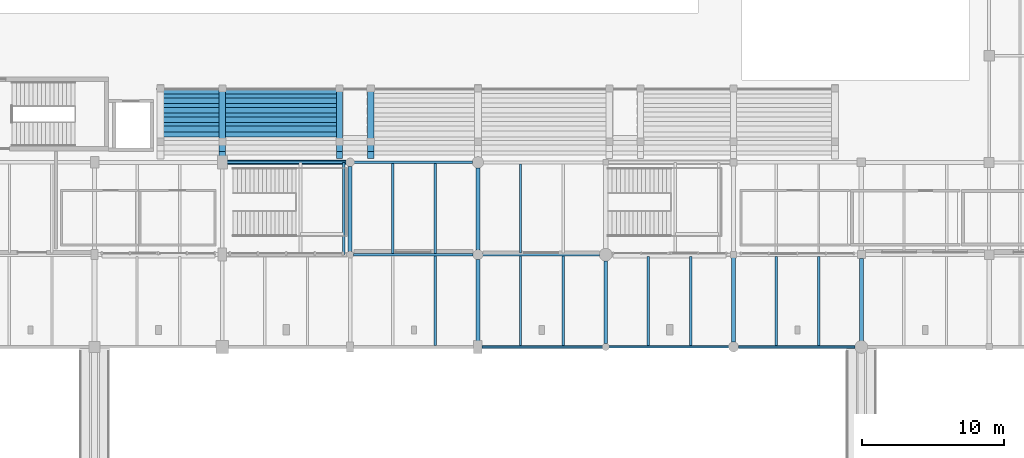
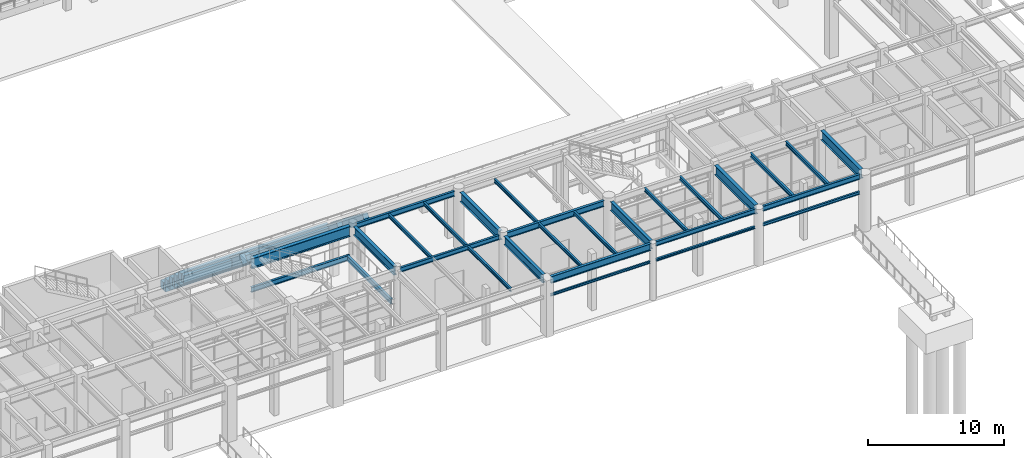
# One storey, part 52 of 203: 41 beams.
"""IFC4 building model written with IfcOpenShell, lengths in metres."""

from ifc_helpers import new_model, si_unit, direction, frame, origin, origin_2d, place, context, subcontext, project, spatial, rectangle, i_section, extrude, material, material_profile, profile_set, type_object, element, save


model = new_model("IFC4")

# Units and contexts
model_context = context("Model", 3, precision=1e-05, world=origin(), true_north=direction((0.0, 1.0)))
body_context = subcontext(model_context, "Body", "Model", "MODEL_VIEW")
ifc_project = project(units=[si_unit("LENGTHUNIT", "METRE"), si_unit("AREAUNIT", "SQUARE_METRE"), si_unit("VOLUMEUNIT", "CUBIC_METRE"), si_unit("PLANEANGLEUNIT", "RADIAN"), si_unit("MASSUNIT", "GRAM", prefix="KILO"), si_unit("THERMODYNAMICTEMPERATUREUNIT", "KELVIN"), si_unit("POWERUNIT", "WATT")], contexts=[model_context])

# Site, building, storey
site_placement = place(None, origin())
site = spatial("IfcSite", under=ifc_project, at=site_placement, CompositionType="ELEMENT")
building_placement = place(site_placement, origin())
building = spatial("IfcBuilding", under=site, at=building_placement, Name="Tepalcoro Natatorium and Aquatics Centre", CompositionType="ELEMENT")
storey_placement = place(building_placement, origin())
storey = spatial("IfcBuildingStorey", under=building, at=storey_placement, Name="L00", CompositionType="ELEMENT", Elevation=0.0)

# Beams
ifc_material_1 = material(Name="Concrete C40/50 (fc 40 MPa)", Category="concrete")
ifc_material_profile_1 = material_profile(ifc_material_1, rectangle(XDim=0.39990234375, YDim=0.64990234375, at=origin_2d()), Name="RCB400x650")
ifc_profile_set_1 = profile_set([ifc_material_profile_1], Name="Concrete C40/50 (fc 40 MPa)")
beam_type_1 = type_object("IfcBeamType", Name="BM_RC_400x650", PredefinedType="BEAM", material=ifc_profile_set_1)
for number, where, z_axis, x_axis, name in (
    (1, (66.64990234375, 17.65576171875, 1.300048828125), (1.0, 0.0, 0.0), (0.0, 1.0, 0.0), "Spectator Tier Stringer Beam S-1W-F"),
    (2, (66.64990234375, 18.0, 1.300048828125), (1.0, 0.0, 0.0), (0.0, 1.0, 0.0), "Spectator Tier Stringer Beam S-1W-B"),
    (3, (66.64990234375, 16.991455078125, 1.89990234375), (1.0, 0.0, 0.0), (0.0, 1.0, 0.0), "Spectator Tier Stringer Beam S-2W-F"),
    (4, (66.64990234375, 17.335693359375, 1.89990234375), (1.0, 0.0, 0.0), (0.0, 1.0, 0.0), "Spectator Tier Stringer Beam S-2W-B"),
    (5, (66.64990234375, 16.3271484375, 2.5), (1.0, 0.0, 0.0), (0.0, 1.0, 0.0), "Spectator Tier Stringer Beam S-3W-F"),
    (6, (66.64990234375, 16.67138671875, 2.5), (1.0, 0.0, 0.0), (0.0, 1.0, 0.0), "Spectator Tier Stringer Beam S-3W-B"),
    (7, (66.64990234375, 15.662841796875, 3.10009765625), (1.0, 0.0, 0.0), (0.0, 1.0, 0.0), "Spectator Tier Stringer Beam S-4W-F"),
    (8, (66.64990234375, 16.007080078125, 3.10009765625), (1.0, 0.0, 0.0), (0.0, 1.0, 0.0), "Spectator Tier Stringer Beam S-4W-B"),
    (9, (66.64990234375, 14.99853515625, 3.699951171875), (1.0, 0.0, 0.0), (0.0, 1.0, 0.0), "Spectator Tier Stringer Beam S-5W-F"),
    (10, (66.64990234375, 15.3427734375, 3.699951171875), (1.0, 0.0, 0.0), (0.0, 1.0, 0.0), "Spectator Tier Stringer Beam S-5W-B"),
):
    element("IfcBeam", number, at=place(storey_placement, frame(where, z_axis=z_axis, x_axis=x_axis)), inside=storey, type_object=beam_type_1, Name=name, PredefinedType="BEAM", context=body_context, shape_type="SweptSolid", body=[
        extrude(rectangle(XDim=0.39990234375, YDim=0.64990234375, at=origin_2d()), origin(), (0.0, 0.0, 1.0), 12.60009765625),
    ])
ifc_material_2 = material(Name="Steel ASTM A992 Grade 50 (Fy 345 MPa)", Category="steel")
ifc_material_profile_2 = material_profile(ifc_material_2, i_section(OverallWidth=0.177978515625, OverallDepth=0.406005859375, WebThickness=0.008056640625, FlangeThickness=0.012939453125, FilletRadius=0.013916015625, at=origin_2d()), Name="W16X40")
ifc_profile_set_2 = profile_set([ifc_material_profile_2], Name="Steel ASTM A992 Grade 50 (Fy 345 MPa)")
beam_type_2 = type_object("IfcBeamType", Name="BM_W16x40", PredefinedType="BEAM", material=ifc_profile_set_2)
beam_1_placement = place(storey_placement, frame((80.235107421875, 6.5, 4.882080078125), z_axis=(1.0, 0.0, 0.0), x_axis=(0.0, 1.0, 0.0)))
element("IfcBeam", 11, at=beam_1_placement, inside=storey, type_object=beam_type_2, Name="V1 L00 Grid Girder X", PredefinedType="BEAM", context=body_context, shape_type="SweptSolid", body=[
    extrude(i_section(OverallWidth=0.177978515625, OverallDepth=0.406005859375, WebThickness=0.008056640625, FlangeThickness=0.012939453125, FilletRadius=0.013916015625, at=origin_2d()), origin(), (0.0, 0.0, 1.0), 8.429931640625),
])
ifc_material_profile_3 = material_profile(ifc_material_2, i_section(OverallWidth=0.19091796875, OverallDepth=0.45703125, WebThickness=0.009033203125, FlangeThickness=0.013916015625, FilletRadius=0.013916015625, at=origin_2d()), Name="W18X50")
ifc_profile_set_3 = profile_set([ifc_material_profile_3], Name="Steel ASTM A992 Grade 50 (Fy 345 MPa)")
beam_type_3 = type_object("IfcBeamType", Name="BM_W18x50", PredefinedType="BEAM", material=ifc_profile_set_3)
beam_2_placement = place(storey_placement, frame((80.284912109375, 13.0, 4.896484375), z_axis=(1.0, 0.0, 0.0), x_axis=(0.0, 1.0, 0.0)))
element("IfcBeam", 12, at=beam_2_placement, inside=storey, type_object=beam_type_3, Name="V1 L00 Grid Girder X", PredefinedType="BEAM", context=body_context, shape_type="SweptSolid", body=[
    extrude(i_section(OverallWidth=0.19091796875, OverallDepth=0.45703125, WebThickness=0.009033203125, FlangeThickness=0.013916015625, FilletRadius=0.013916015625, at=origin_2d()), origin(), (0.0, 0.0, 1.0), 8.330078125),
])
beam_3_placement = place(storey_placement, frame((71.3349609375, 13.0, 2.271484375), z_axis=(1.0, 0.0, 0.0), x_axis=(0.0, 1.0, 0.0)))
element("IfcBeam", 13, at=beam_3_placement, inside=storey, type_object=beam_type_3, Name="Vomitory Stair Mid-Height Grid Header SW-N", PredefinedType="BEAM", context=body_context, shape_type="SweptSolid", body=[
    extrude(i_section(OverallWidth=0.19091796875, OverallDepth=0.45703125, WebThickness=0.009033203125, FlangeThickness=0.013916015625, FilletRadius=0.013916015625, at=origin_2d()), origin(), (0.0, 0.0, 1.0), 8.380126953125),
])
beam_4_placement = place(storey_placement, frame((79.550048828125, 6.501953125, 2.271484375), z_axis=(0.0, 1.0, 0.0), x_axis=(-1.0, 0.0, 0.0)))
element("IfcBeam", 14, at=beam_4_placement, inside=storey, type_object=beam_type_3, Name="Vomitory Half-Landing Trimmer Beam SW-E", PredefinedType="BEAM", context=body_context, shape_type="SweptSolid", body=[
    extrude(i_section(OverallWidth=0.19091796875, OverallDepth=0.45703125, WebThickness=0.009033203125, FlangeThickness=0.013916015625, FilletRadius=0.013916015625, at=origin_2d()), origin(), (0.0, 0.0, 1.0), 6.49609375),
])
ifc_material_profile_4 = material_profile(ifc_material_2, i_section(OverallWidth=0.2099609375, OverallDepth=0.532958984375, WebThickness=0.010009765625, FlangeThickness=0.01611328125, FilletRadius=0.013916015625, at=origin_2d()), Name="W21X62")
ifc_profile_set_4 = profile_set([ifc_material_profile_4], Name="Steel ASTM A992 Grade 50 (Fy 345 MPa)")
beam_type_4 = type_object("IfcBeamType", Name="BM_W21x62", PredefinedType="BEAM", material=ifc_profile_set_4)
beam_5_placement = place(storey_placement, frame((89.3349609375, 6.5, 4.818603515625), z_axis=(1.0, 0.0, 0.0), x_axis=(0.0, 1.0, 0.0)))
element("IfcBeam", 15, at=beam_5_placement, inside=storey, type_object=beam_type_4, Name="V1 L00 Grid Girder X", PredefinedType="BEAM", context=body_context, shape_type="SweptSolid", body=[
    extrude(i_section(OverallWidth=0.2099609375, OverallDepth=0.532958984375, WebThickness=0.010009765625, FlangeThickness=0.01611328125, FilletRadius=0.013916015625, at=origin_2d()), origin(), (0.0, 0.0, 1.0), 8.22998046875),
])
ifc_material_profile_5 = material_profile(ifc_material_2, i_section(OverallWidth=0.26708984375, OverallDepth=0.761962890625, WebThickness=0.013916015625, FlangeThickness=0.02197265625, FilletRadius=0.013916015625, at=origin_2d()), Name="W30X116")
ifc_profile_set_5 = profile_set([ifc_material_profile_5], Name="Steel ASTM A992 Grade 50 (Fy 345 MPa)")
beam_type_5 = type_object("IfcBeamType", Name="BM_W30x116", PredefinedType="BEAM", material=ifc_profile_set_5)
beam_6_placement = place(storey_placement, frame((89.0, 0.43505859375, 4.7041015625), z_axis=(0.0, 1.0, 0.0), x_axis=(-1.0, 0.0, 0.0)))
element("IfcBeam", 16, at=beam_6_placement, inside=storey, type_object=beam_type_5, Name="V1 L00 Grid Girder Y", PredefinedType="BEAM", context=body_context, shape_type="SweptSolid", body=[
    extrude(i_section(OverallWidth=0.26708984375, OverallDepth=0.761962890625, WebThickness=0.013916015625, FlangeThickness=0.02197265625, FilletRadius=0.013916015625, at=origin_2d()), origin(), (0.0, 0.0, 1.0), 5.72998046875),
])
ifc_material_profile_6 = material_profile(ifc_material_2, i_section(OverallWidth=0.26708984375, OverallDepth=0.780029296875, WebThickness=0.01708984375, FlangeThickness=0.030029296875, FilletRadius=0.013916015625, at=origin_2d()), Name="W30X148")
ifc_profile_set_6 = profile_set([ifc_material_profile_6], Name="Steel ASTM A992 Grade 50 (Fy 345 MPa)")
beam_type_6 = type_object("IfcBeamType", Name="BM_W30x148", PredefinedType="BEAM", material=ifc_profile_set_6)
beam_7_placement = place(storey_placement, frame((80.0, 6.735107421875, 4.735107421875), z_axis=(0.0, 1.0, 0.0), x_axis=(-1.0, 0.0, 0.0)))
element("IfcBeam", 17, at=beam_7_placement, inside=storey, type_object=beam_type_6, Name="V1 L00 Grid Girder Y", PredefinedType="BEAM", context=body_context, shape_type="SweptSolid", body=[
    extrude(i_section(OverallWidth=0.26708984375, OverallDepth=0.780029296875, WebThickness=0.01708984375, FlangeThickness=0.030029296875, FilletRadius=0.013916015625, at=origin_2d()), origin(), (0.0, 0.0, 1.0), 5.97998046875),
])
beam_8_placement = place(storey_placement, frame((98.0, 0.235107421875, 4.695068359375), z_axis=(0.0, 1.0, 0.0), x_axis=(-1.0, 0.0, 0.0)))
element("IfcBeam", 18, at=beam_8_placement, inside=storey, type_object=beam_type_6, Name="V1 L00 Grid Girder Y", PredefinedType="BEAM", context=body_context, shape_type="SweptSolid", body=[
    extrude(i_section(OverallWidth=0.26708984375, OverallDepth=0.780029296875, WebThickness=0.01708984375, FlangeThickness=0.030029296875, FilletRadius=0.013916015625, at=origin_2d()), origin(), (0.0, 0.0, 1.0), 5.829833984375),
])
ifc_material_profile_7 = material_profile(ifc_material_2, i_section(OverallWidth=0.2919921875, OverallDepth=0.845947265625, WebThickness=0.014892578125, FlangeThickness=0.02392578125, FilletRadius=0.013916015625, at=origin_2d()), Name="W33X141")
ifc_profile_set_7 = profile_set([ifc_material_profile_7], Name="Steel ASTM A992 Grade 50 (Fy 345 MPa)")
beam_type_7 = type_object("IfcBeamType", Name="BM_W33x141", PredefinedType="BEAM", material=ifc_profile_set_7)
beam_9_placement = place(storey_placement, frame((89.0, 6.8349609375, 4.701904296875), z_axis=(0.0, 1.0, 0.0), x_axis=(-1.0, 0.0, 0.0)))
element("IfcBeam", 19, at=beam_9_placement, inside=storey, type_object=beam_type_7, Name="V1 L00 Grid Girder Y", PredefinedType="BEAM", context=body_context, shape_type="SweptSolid", body=[
    extrude(i_section(OverallWidth=0.2919921875, OverallDepth=0.845947265625, WebThickness=0.014892578125, FlangeThickness=0.02392578125, FilletRadius=0.013916015625, at=origin_2d()), origin(), (0.0, 0.0, 1.0), 5.780029296875),
])
beam_10_placement = place(storey_placement, frame((107.0, 0.3349609375, 4.662109375), z_axis=(0.0, 1.0, 0.0), x_axis=(-1.0, 0.0, 0.0)))
element("IfcBeam", 20, at=beam_10_placement, inside=storey, type_object=beam_type_7, Name="V1 L00 Grid Girder Y", PredefinedType="BEAM", context=body_context, shape_type="SweptSolid", body=[
    extrude(i_section(OverallWidth=0.2919921875, OverallDepth=0.845947265625, WebThickness=0.014892578125, FlangeThickness=0.02392578125, FilletRadius=0.013916015625, at=origin_2d()), origin(), (0.0, 0.0, 1.0), 5.955078125),
])
ifc_material_profile_8 = material_profile(ifc_material_2, i_section(OverallWidth=0.2919921875, OverallDepth=0.85888671875, WebThickness=0.01708984375, FlangeThickness=0.031005859375, FilletRadius=0.013916015625, at=origin_2d()), Name="W33X169")
ifc_profile_set_8 = profile_set([ifc_material_profile_8], Name="Steel ASTM A992 Grade 50 (Fy 345 MPa)")
beam_type_8 = type_object("IfcBeamType", Name="BM_W33x169", PredefinedType="BEAM", material=ifc_profile_set_8)
beam_11_placement = place(storey_placement, frame((116.0, 0.43505859375, 4.655517578125), z_axis=(0.0, 1.0, 0.0), x_axis=(-1.0, 0.0, 0.0)))
element("IfcBeam", 21, at=beam_11_placement, inside=storey, type_object=beam_type_8, Name="V1 L00 Grid Girder Y", PredefinedType="BEAM", context=body_context, shape_type="SweptSolid", body=[
    extrude(i_section(OverallWidth=0.2919921875, OverallDepth=0.85888671875, WebThickness=0.01708984375, FlangeThickness=0.031005859375, FilletRadius=0.013916015625, at=origin_2d()), origin(), (0.0, 0.0, 1.0), 5.804931640625),
])
ifc_material_profile_9 = material_profile(ifc_material_2, i_section(OverallWidth=0.31005859375, OverallDepth=0.931884765625, WebThickness=0.02099609375, FlangeThickness=0.034912109375, FilletRadius=0.013916015625, at=origin_2d()), Name="W36X210")
ifc_profile_set_9 = profile_set([ifc_material_profile_9], Name="Steel ASTM A992 Grade 50 (Fy 345 MPa)")
beam_type_9 = type_object("IfcBeamType", Name="BM_W36x210", PredefinedType="BEAM", material=ifc_profile_set_9)
beam_12_placement = place(storey_placement, frame((71.3349609375, 13.0, 4.658935546875), z_axis=(1.0, 0.0, 0.0), x_axis=(0.0, 1.0, 0.0)))
element("IfcBeam", 22, at=beam_12_placement, inside=storey, type_object=beam_type_9, Name="V1 L00 Grid Girder X", PredefinedType="BEAM", context=body_context, shape_type="SweptSolid", body=[
    extrude(i_section(OverallWidth=0.31005859375, OverallDepth=0.931884765625, WebThickness=0.02099609375, FlangeThickness=0.034912109375, FilletRadius=0.013916015625, at=origin_2d()), origin(), (0.0, 0.0, 1.0), 8.380126953125),
])
ifc_material_profile_10 = material_profile(ifc_material_2, i_section(OverallWidth=0.1650390625, OverallDepth=0.31005859375, WebThickness=0.006103515625, FlangeThickness=0.010009765625, FilletRadius=0.013916015625, at=origin_2d()), Name="W12X26")
ifc_profile_set_10 = profile_set([ifc_material_profile_10], Name="Steel ASTM A992 Grade 50 (Fy 345 MPa)")
beam_type_10 = type_object("IfcBeamType", Name="JS_W12x26", PredefinedType="JOIST", material=ifc_profile_set_10)
beam_13_placement = place(storey_placement, frame((86.0, 0.10498046875, 4.929931640625), z_axis=(0.0, 1.0, 0.0), x_axis=(-1.0, 0.0, 0.0)))
element("IfcBeam", 23, at=beam_13_placement, inside=storey, type_object=beam_type_10, Name="V1 L00 Floor Joist", PredefinedType="JOIST", context=body_context, shape_type="SweptSolid", body=[
    extrude(i_section(OverallWidth=0.1650390625, OverallDepth=0.31005859375, WebThickness=0.006103515625, FlangeThickness=0.010009765625, FilletRadius=0.013916015625, at=origin_2d()), origin(), (0.0, 0.0, 1.0), 6.305908203125),
])
beam_14_placement = place(storey_placement, frame((83.0, 6.589111328125, 4.929931640625), z_axis=(0.0, 1.0, 0.0), x_axis=(-1.0, 0.0, 0.0)))
element("IfcBeam", 24, at=beam_14_placement, inside=storey, type_object=beam_type_10, Name="V1 L00 Floor Joist", PredefinedType="JOIST", context=body_context, shape_type="SweptSolid", body=[
    extrude(i_section(OverallWidth=0.1650390625, OverallDepth=0.31005859375, WebThickness=0.006103515625, FlangeThickness=0.010009765625, FilletRadius=0.013916015625, at=origin_2d()), origin(), (0.0, 0.0, 1.0), 6.3154296875),
])
beam_15_placement = place(storey_placement, frame((92.0, 0.114501953125, 4.929931640625), z_axis=(0.0, 1.0, 0.0), x_axis=(-1.0, 0.0, 0.0)))
element("IfcBeam", 25, at=beam_15_placement, inside=storey, type_object=beam_type_10, Name="V1 L00 Floor Joist", PredefinedType="JOIST", context=body_context, shape_type="SweptSolid", body=[
    extrude(i_section(OverallWidth=0.1650390625, OverallDepth=0.31005859375, WebThickness=0.006103515625, FlangeThickness=0.010009765625, FilletRadius=0.013916015625, at=origin_2d()), origin(), (0.0, 0.0, 1.0), 6.280517578125),
])
ifc_material_profile_11 = material_profile(ifc_material_2, i_section(OverallWidth=0.1669921875, OverallDepth=0.318115234375, WebThickness=0.008056640625, FlangeThickness=0.012939453125, FilletRadius=0.013916015625, at=origin_2d()), Name="W12X35")
ifc_profile_set_11 = profile_set([ifc_material_profile_11], Name="Steel ASTM A992 Grade 50 (Fy 345 MPa)")
beam_type_11 = type_object("IfcBeamType", Name="JS_W12x35", PredefinedType="JOIST", material=ifc_profile_set_11)
beam_16_placement = place(storey_placement, frame((86.0, 6.589111328125, 4.926025390625), z_axis=(0.0, 1.0, 0.0), x_axis=(-1.0, 0.0, 0.0)))
element("IfcBeam", 26, at=beam_16_placement, inside=storey, type_object=beam_type_11, Name="V1 L00 Floor Joist", PredefinedType="JOIST", context=body_context, shape_type="SweptSolid", body=[
    extrude(i_section(OverallWidth=0.1669921875, OverallDepth=0.318115234375, WebThickness=0.008056640625, FlangeThickness=0.012939453125, FilletRadius=0.013916015625, at=origin_2d()), origin(), (0.0, 0.0, 1.0), 6.3154296875),
])
beam_17_placement = place(storey_placement, frame((95.0, 0.114501953125, 4.926025390625), z_axis=(0.0, 1.0, 0.0), x_axis=(-1.0, 0.0, 0.0)))
element("IfcBeam", 27, at=beam_17_placement, inside=storey, type_object=beam_type_11, Name="V1 L00 Floor Joist", PredefinedType="JOIST", context=body_context, shape_type="SweptSolid", body=[
    extrude(i_section(OverallWidth=0.1669921875, OverallDepth=0.318115234375, WebThickness=0.008056640625, FlangeThickness=0.012939453125, FilletRadius=0.013916015625, at=origin_2d()), origin(), (0.0, 0.0, 1.0), 6.280517578125),
])
beam_18_placement = place(storey_placement, frame((92.0, 6.60498046875, 4.926025390625), z_axis=(0.0, 1.0, 0.0), x_axis=(-1.0, 0.0, 0.0)))
element("IfcBeam", 28, at=beam_18_placement, inside=storey, type_object=beam_type_11, Name="V1 L00 Floor Joist", PredefinedType="JOIST", context=body_context, shape_type="SweptSolid", body=[
    extrude(i_section(OverallWidth=0.1669921875, OverallDepth=0.318115234375, WebThickness=0.008056640625, FlangeThickness=0.012939453125, FilletRadius=0.013916015625, at=origin_2d()), origin(), (0.0, 0.0, 1.0), 6.2890625),
])
beam_19_placement = place(storey_placement, frame((101.0, 0.090087890625, 4.926025390625), z_axis=(0.0, 1.0, 0.0), x_axis=(-1.0, 0.0, 0.0)))
element("IfcBeam", 29, at=beam_19_placement, inside=storey, type_object=beam_type_11, Name="V1 L00 Floor Joist", PredefinedType="JOIST", context=body_context, shape_type="SweptSolid", body=[
    extrude(i_section(OverallWidth=0.1669921875, OverallDepth=0.318115234375, WebThickness=0.008056640625, FlangeThickness=0.012939453125, FilletRadius=0.013916015625, at=origin_2d()), origin(), (0.0, 0.0, 1.0), 6.294921875),
])
ifc_material_profile_12 = material_profile(ifc_material_2, i_section(OverallWidth=0.1708984375, OverallDepth=0.35107421875, WebThickness=0.007080078125, FlangeThickness=0.010009765625, FilletRadius=0.013916015625, at=origin_2d()), Name="W14X30")
ifc_profile_set_12 = profile_set([ifc_material_profile_12], Name="Steel ASTM A992 Grade 50 (Fy 345 MPa)")
beam_type_12 = type_object("IfcBeamType", Name="JS_W14x30", PredefinedType="JOIST", material=ifc_profile_set_12)
beam_20_placement = place(storey_placement, frame((104.0, 0.090087890625, 4.909423828125), z_axis=(0.0, 1.0, 0.0), x_axis=(-1.0, 0.0, 0.0)))
element("IfcBeam", 30, at=beam_20_placement, inside=storey, type_object=beam_type_12, Name="V1 L00 Floor Joist", PredefinedType="JOIST", context=body_context, shape_type="SweptSolid", body=[
    extrude(i_section(OverallWidth=0.1708984375, OverallDepth=0.35107421875, WebThickness=0.007080078125, FlangeThickness=0.010009765625, FilletRadius=0.013916015625, at=origin_2d()), origin(), (0.0, 0.0, 1.0), 6.294921875),
])
beam_21_placement = place(storey_placement, frame((110.0, 0.095458984375, 4.909423828125), z_axis=(0.0, 1.0, 0.0), x_axis=(-1.0, 0.0, 0.0)))
element("IfcBeam", 31, at=beam_21_placement, inside=storey, type_object=beam_type_12, Name="V1 L00 Floor Joist", PredefinedType="JOIST", context=body_context, shape_type="SweptSolid", body=[
    extrude(i_section(OverallWidth=0.1708984375, OverallDepth=0.35107421875, WebThickness=0.007080078125, FlangeThickness=0.010009765625, FilletRadius=0.013916015625, at=origin_2d()), origin(), (0.0, 0.0, 1.0), 6.277587890625),
])
ifc_material_profile_13 = material_profile(ifc_material_2, i_section(OverallWidth=0.172119140625, OverallDepth=0.35791015625, WebThickness=0.008056640625, FlangeThickness=0.012939453125, FilletRadius=0.013916015625, at=origin_2d()), Name="W14X38")
ifc_profile_set_13 = profile_set([ifc_material_profile_13], Name="Steel ASTM A992 Grade 50 (Fy 345 MPa)")
beam_type_13 = type_object("IfcBeamType", Name="JS_W14x38", PredefinedType="JOIST", material=ifc_profile_set_13)
beam_22_placement = place(storey_placement, frame((113.0, 0.095458984375, 4.906005859375), z_axis=(0.0, 1.0, 0.0), x_axis=(-1.0, 0.0, 0.0)))
element("IfcBeam", 32, at=beam_22_placement, inside=storey, type_object=beam_type_13, Name="V1 L00 Floor Joist", PredefinedType="JOIST", context=body_context, shape_type="SweptSolid", body=[
    extrude(i_section(OverallWidth=0.172119140625, OverallDepth=0.35791015625, WebThickness=0.008056640625, FlangeThickness=0.012939453125, FilletRadius=0.013916015625, at=origin_2d()), origin(), (0.0, 0.0, 1.0), 6.277587890625),
])
ifc_material_profile_14 = material_profile(ifc_material_2, i_section(OverallWidth=0.133056640625, OverallDepth=0.20703125, WebThickness=0.006103515625, FlangeThickness=0.008056640625, FilletRadius=0.013916015625, at=origin_2d()), Name="W8X18")
ifc_profile_set_14 = profile_set([ifc_material_profile_14], Name="Steel ASTM A992 Grade 50 (Fy 345 MPa)")
beam_type_14 = type_object("IfcBeamType", Name="LN_HSS150x100x8", PredefinedType="LINTEL", material=ifc_profile_set_14)
beam_23_placement = place(storey_placement, frame((89.284912109375, 0.0, 3.39990234375), z_axis=(1.0, 0.0, 0.0), x_axis=(0.0, 1.0, 0.0)))
element("IfcBeam", 33, at=beam_23_placement, inside=storey, type_object=beam_type_14, Name="Colonnade Portico Architrave Lintel", PredefinedType="LINTEL", context=body_context, shape_type="SweptSolid", body=[
    extrude(i_section(OverallWidth=0.133056640625, OverallDepth=0.20703125, WebThickness=0.006103515625, FlangeThickness=0.008056640625, FilletRadius=0.013916015625, at=origin_2d()), origin(), (0.0, 0.0, 1.0), 8.47998046875),
])
ifc_material_profile_15 = material_profile(ifc_material_2, i_section(OverallWidth=0.1650390625, OverallDepth=0.200927734375, WebThickness=0.006103515625, FlangeThickness=0.010009765625, FilletRadius=0.013916015625, at=origin_2d()), Name="W8X24")
ifc_profile_set_15 = profile_set([ifc_material_profile_15], Name="Steel ASTM A992 Grade 50 (Fy 345 MPa)")
beam_type_15 = type_object("IfcBeamType", Name="LN_HSS200x120x10", PredefinedType="LINTEL", material=ifc_profile_set_15)
beam_24_placement = place(storey_placement, frame((98.235107421875, 0.0, 3.39990234375), z_axis=(1.0, 0.0, 0.0), x_axis=(0.0, 1.0, 0.0)))
element("IfcBeam", 34, at=beam_24_placement, inside=storey, type_object=beam_type_15, Name="Colonnade Portico Architrave Lintel", PredefinedType="LINTEL", context=body_context, shape_type="SweptSolid", body=[
    extrude(i_section(OverallWidth=0.1650390625, OverallDepth=0.200927734375, WebThickness=0.006103515625, FlangeThickness=0.010009765625, FilletRadius=0.013916015625, at=origin_2d()), origin(), (0.0, 0.0, 1.0), 8.429931640625),
])
ifc_material_profile_16 = material_profile(ifc_material_2, i_section(OverallWidth=0.14599609375, OverallDepth=0.259033203125, WebThickness=0.006103515625, FlangeThickness=0.009033203125, FilletRadius=0.013916015625, at=origin_2d()), Name="W10X22")
ifc_profile_set_16 = profile_set([ifc_material_profile_16], Name="Steel ASTM A992 Grade 50 (Fy 345 MPa)")
beam_type_16 = type_object("IfcBeamType", Name="LN_W10x22", PredefinedType="LINTEL", material=ifc_profile_set_16)
beam_25_placement = place(storey_placement, frame((107.3349609375, 0.0, 3.39990234375), z_axis=(1.0, 0.0, 0.0), x_axis=(0.0, 1.0, 0.0)))
element("IfcBeam", 35, at=beam_25_placement, inside=storey, type_object=beam_type_16, Name="Colonnade Portico Architrave Lintel", PredefinedType="LINTEL", context=body_context, shape_type="SweptSolid", body=[
    extrude(i_section(OverallWidth=0.14599609375, OverallDepth=0.259033203125, WebThickness=0.006103515625, FlangeThickness=0.009033203125, FilletRadius=0.013916015625, at=origin_2d()), origin(), (0.0, 0.0, 1.0), 8.22998046875),
])
ifc_material_profile_17 = material_profile(ifc_material_1, rectangle(XDim=0.449951171875, YDim=0.800048828125, at=origin_2d()), Name="RKR450x800")
ifc_profile_set_17 = profile_set([ifc_material_profile_17], Name="Concrete C40/50 (fc 40 MPa)")
beam_type_17 = type_object("IfcBeamType", Name="RK_RC_450x800", PredefinedType="USERDEFINED", material=ifc_profile_set_17)
for number, where, z_axis, x_axis, name in (
    (36, (71.0, 18.199951171875, 1.25), (0.0, -0.793431117483, 0.608660054389), (1.0, 0.0, 0.0), "Spectator Bowl Raker Beam S-2"),
    (37, (79.25, 18.199951171875, 1.25), (0.0, -0.793431117483, 0.608660054389), (1.0, 0.0, 0.0), "Spectator Bowl Raker Beam S-3"),
    (38, (81.449951171875, 18.199951171875, 1.25), (0.0, -0.793431117483, 0.608660054389), (1.0, 0.0, 0.0), "Spectator Bowl Raker Beam S-4"),
):
    element("IfcBeam", number, at=place(storey_placement, frame(where, z_axis=z_axis, x_axis=x_axis)), inside=storey, type_object=beam_type_17, Name=name, ObjectType="RAKER", PredefinedType="USERDEFINED", context=body_context, shape_type="SweptSolid", body=[
        extrude(rectangle(XDim=0.449951171875, YDim=0.800048828125, at=origin_2d()), origin(), (0.0, 0.0, 1.0), 5.8984375),
    ])
ifc_material_profile_18 = material_profile(ifc_material_2, i_section(OverallWidth=0.179931640625, OverallDepth=0.4130859375, WebThickness=0.010009765625, FlangeThickness=0.01611328125, FilletRadius=0.013916015625, at=origin_2d()), Name="W16X50")
ifc_profile_set_18 = profile_set([ifc_material_profile_18], Name="Steel ASTM A992 Grade 50 (Fy 345 MPa)")
beam_type_18 = type_object("IfcBeamType", Name="SP_HSS300x200x12", PredefinedType="SPANDREL", material=ifc_profile_set_18)
beam_26_placement = place(storey_placement, frame((98.235107421875, 0.0, 4.87841796875), z_axis=(1.0, 0.0, 0.0), x_axis=(0.0, 1.0, 0.0)))
element("IfcBeam", 39, at=beam_26_placement, inside=storey, type_object=beam_type_18, Name="V1 L00 Grid Girder X", PredefinedType="SPANDREL", context=body_context, shape_type="SweptSolid", body=[
    extrude(i_section(OverallWidth=0.179931640625, OverallDepth=0.4130859375, WebThickness=0.010009765625, FlangeThickness=0.01611328125, FilletRadius=0.013916015625, at=origin_2d()), origin(), (0.0, 0.0, 1.0), 8.429931640625),
])
ifc_material_profile_19 = material_profile(ifc_material_2, i_section(OverallWidth=0.19091796875, OverallDepth=0.4599609375, WebThickness=0.010009765625, FlangeThickness=0.01611328125, FilletRadius=0.013916015625, at=origin_2d()), Name="W18X55")
ifc_profile_set_19 = profile_set([ifc_material_profile_19], Name="Steel ASTM A992 Grade 50 (Fy 345 MPa)")
beam_type_19 = type_object("IfcBeamType", Name="SP_W18x55", PredefinedType="SPANDREL", material=ifc_profile_set_19)
beam_27_placement = place(storey_placement, frame((107.3349609375, 0.0, 4.85498046875), z_axis=(1.0, 0.0, 0.0), x_axis=(0.0, 1.0, 0.0)))
element("IfcBeam", 40, at=beam_27_placement, inside=storey, type_object=beam_type_19, Name="V1 L00 Grid Girder X", PredefinedType="SPANDREL", context=body_context, shape_type="SweptSolid", body=[
    extrude(i_section(OverallWidth=0.19091796875, OverallDepth=0.4599609375, WebThickness=0.010009765625, FlangeThickness=0.01611328125, FilletRadius=0.013916015625, at=origin_2d()), origin(), (0.0, 0.0, 1.0), 8.22998046875),
])
ifc_material_profile_20 = material_profile(ifc_material_2, i_section(OverallWidth=0.22900390625, OverallDepth=0.612060546875, WebThickness=0.011962890625, FlangeThickness=0.02001953125, FilletRadius=0.013916015625, at=origin_2d()), Name="W24X84")
ifc_profile_set_20 = profile_set([ifc_material_profile_20], Name="Steel ASTM A992 Grade 50 (Fy 345 MPa)")
beam_type_20 = type_object("IfcBeamType", Name="SP_W24x84", PredefinedType="SPANDREL", material=ifc_profile_set_20)
beam_28_placement = place(storey_placement, frame((89.284912109375, 0.0, 4.779052734375), z_axis=(1.0, 0.0, 0.0), x_axis=(0.0, 1.0, 0.0)))
element("IfcBeam", 41, at=beam_28_placement, inside=storey, type_object=beam_type_20, Name="V1 L00 Grid Girder X", PredefinedType="SPANDREL", context=body_context, shape_type="SweptSolid", body=[
    extrude(i_section(OverallWidth=0.22900390625, OverallDepth=0.612060546875, WebThickness=0.011962890625, FlangeThickness=0.02001953125, FilletRadius=0.013916015625, at=origin_2d()), origin(), (0.0, 0.0, 1.0), 8.47998046875),
])

save(model, "model.ifc")
